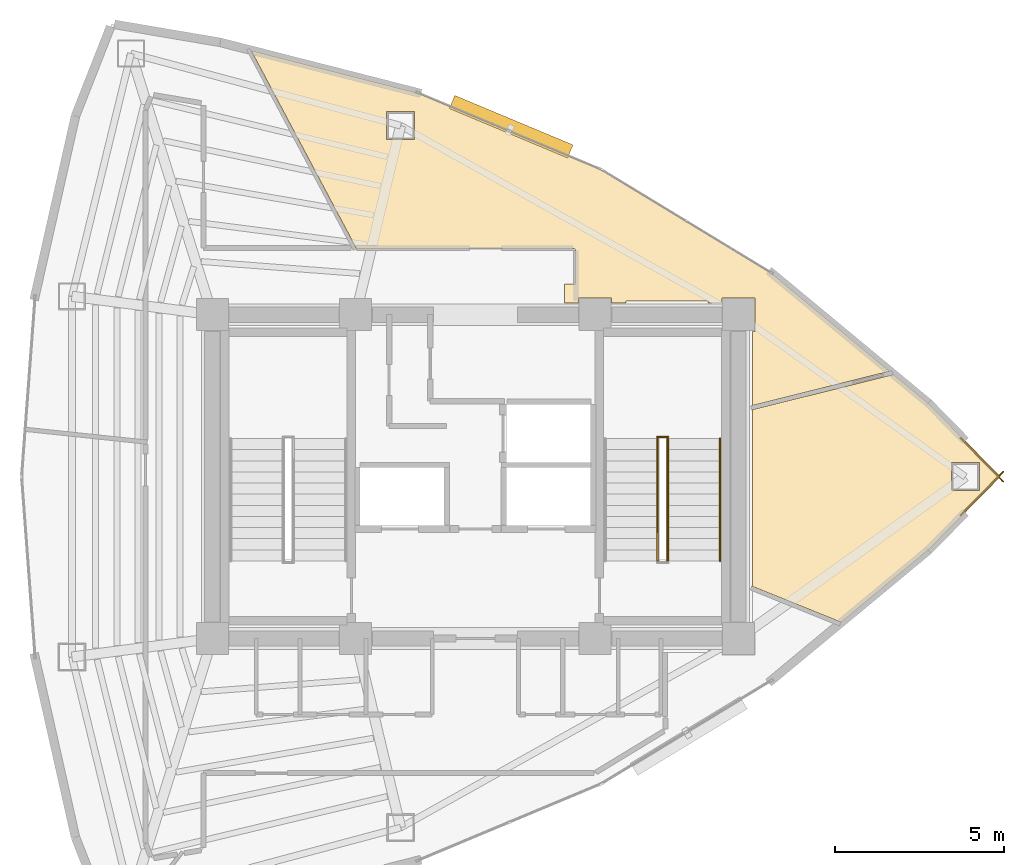
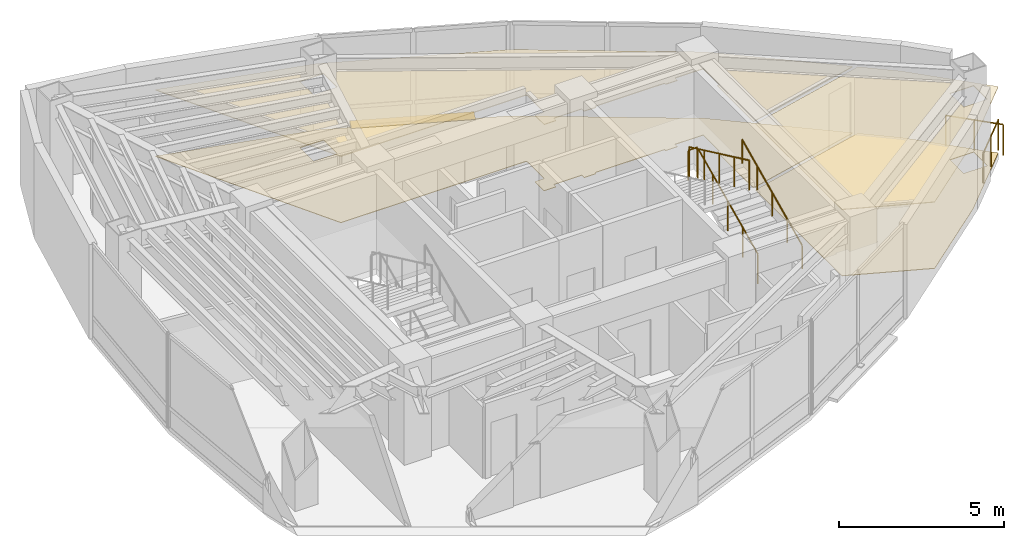
# One storey, part 15 of 15: 6 railings, 4 coverings, 1 shading device.
"""IFC4 building model written with IfcOpenShell, lengths in metres."""

import ifcopenshell
import ifcopenshell.guid

model = None  # the IFC model being written
_history = None  # IfcOwnerHistory: only IFC2X3 demands one
_inside = {}  # id of a spatial element -> (the spatial element, [elements in it])
_under = {}  # id of a project, library or spatial element -> (it, [spatial elements below it])
_declared = {}  # id of a project -> (the project, [libraries it declares])
_typed = {}  # id of a type object -> (the type object, [elements of that type])
_made_of = {}  # id of a material, layer set ... -> (it, [elements and type objects made of it])


def new_model(schema):
    """Start an empty IFC model of exactly this schema.

    Asked for "IFC4X3", IfcOpenShell would pick the latest addendum, in which some entities
    have other attributes; the version numbers below select the first issue.
    IFC2X3 requires an IfcOwnerHistory on every rooted entity: one is made here for all.
    """
    global model, _history
    if schema == "IFC4X3":
        model = ifcopenshell.file(schema_version=(4, 3, 0, 0))
    else:
        model = ifcopenshell.file(schema=schema)
    _inside.clear()
    _under.clear()
    _declared.clear()
    _typed.clear()
    _made_of.clear()
    _history = None
    if model.schema == "IFC2X3":
        org = make("IfcOrganization", Name="unknown")
        user = make(
            "IfcPersonAndOrganization",
            ThePerson=make("IfcPerson", FamilyName="unknown"),
            TheOrganization=org,
        )
        app = make(
            "IfcApplication",
            ApplicationDeveloper=org,
            Version="unknown",
            ApplicationFullName="unknown",
            ApplicationIdentifier="unknown",
        )
        _history = make(
            "IfcOwnerHistory",
            OwningUser=user,
            OwningApplication=app,
            ChangeAction="ADDED",
            CreationDate=0,
        )
    return model


def make(cls, **values):
    """One entity of the class cls with the attributes given. An attribute that is None is left unset."""
    return model.create_entity(
        cls, **{name: value for name, value in values.items() if value is not None}
    )


def rooted(cls, **values):
    """An entity with a GlobalId (a new one), such as an element, a storey or a relation."""
    return make(cls, GlobalId=ifcopenshell.guid.new(), OwnerHistory=_history, **values)


def si_unit(unit_type, name, prefix=None):
    """IfcSIUnit, for example si_unit("LENGTHUNIT", "METRE", prefix="MILLI")."""
    return make("IfcSIUnit", UnitType=unit_type, Prefix=prefix, Name=name)


def assignment(units):
    """IfcUnitAssignment: the units of a project."""
    return None if units is None else make("IfcUnitAssignment", Units=units)


def point(xyz):
    """IfcCartesianPoint."""
    return None if xyz is None else make("IfcCartesianPoint", Coordinates=xyz)


def direction(xyz):
    """IfcDirection."""
    return None if xyz is None else make("IfcDirection", DirectionRatios=xyz)


def frame(location, z_axis=None, x_axis=None):
    """IfcAxis2Placement3D, a coordinate frame: its origin and axes. An axis left out is left unset."""
    return make(
        "IfcAxis2Placement3D",
        Location=point(location),
        Axis=direction(z_axis),
        RefDirection=direction(x_axis),
    )


def frame_2d(location, x_axis=None):
    """IfcAxis2Placement2D, a coordinate frame in the plane: its origin and x axis."""
    return make(
        "IfcAxis2Placement2D", Location=point(location), RefDirection=direction(x_axis)
    )


def origin():
    """The frame at (0, 0, 0) with its axes left unset."""
    return frame((0.0, 0.0, 0.0))


def origin_2d():
    """The frame at (0, 0) in the plane with its x axis left unset."""
    return frame_2d((0.0, 0.0))


def place(relative_to, where):
    """IfcLocalPlacement: puts the frame where relative to a parent placement (None: the world)."""
    return make(
        "IfcLocalPlacement", PlacementRelTo=relative_to, RelativePlacement=where
    )


def context(
    kind, dimensions, precision=None, world=None, true_north=None, identifier=None
):
    """IfcGeometricRepresentationContext, for example the 3D "Model" context."""
    return make(
        "IfcGeometricRepresentationContext",
        ContextIdentifier=identifier,
        ContextType=kind,
        CoordinateSpaceDimension=dimensions,
        Precision=precision,
        WorldCoordinateSystem=world,
        TrueNorth=true_north,
    )


def subcontext(parent, identifier, kind, view, scale=None):
    """IfcGeometricRepresentationSubContext, for example "Body" below "Model"."""
    return make(
        "IfcGeometricRepresentationSubContext",
        ContextIdentifier=identifier,
        ContextType=kind,
        ParentContext=parent,
        TargetScale=scale,
        TargetView=view,
    )


def project(units=None, contexts=None):
    """IfcProject with its units and contexts."""
    return rooted(
        "IfcProject",
        Name="project",
        RepresentationContexts=contexts,
        UnitsInContext=assignment(units),
    )


def spatial(cls, under=None, at=None, **own):
    """A site, building, storey or space (cls), placed at a placement, below another one or the project."""
    s = rooted(cls, ObjectPlacement=at, **own)
    if under is not None:
        _under.setdefault(under.id(), (under, []))[1].append(s)
    return s


def polyline(points):
    """IfcPolyline through the points."""
    return make("IfcPolyline", Points=[point(p) for p in points])


def profile(cls, at=None, kind="AREA", **sizes):
    """A parametric profile (cls). Its sizes go by their IFC names, for example OverallWidth=200.0."""
    return make(cls, ProfileType=kind, Position=at, **sizes)


def rectangle(**sizes):
    """IfcRectangleProfileDef."""
    return profile("IfcRectangleProfileDef", **sizes)


def circle(**sizes):
    """IfcCircleProfileDef."""
    return profile("IfcCircleProfileDef", **sizes)


def outline(outer, holes=None, kind="AREA"):
    """IfcArbitraryClosedProfileDef: a profile drawn as a closed curve; with holes, ...WithVoids."""
    if holes is None:
        return make("IfcArbitraryClosedProfileDef", ProfileType=kind, OuterCurve=outer)
    return make(
        "IfcArbitraryProfileDefWithVoids",
        ProfileType=kind,
        OuterCurve=outer,
        InnerCurves=holes,
    )


def extrude(swept, where, along, depth):
    """IfcExtrudedAreaSolid: the profile swept, set in the frame where, extruded along a direction by depth."""
    return make(
        "IfcExtrudedAreaSolid",
        SweptArea=swept,
        Position=where,
        ExtrudedDirection=direction(along),
        Depth=depth,
    )


def shape(context_of_items, identifier, shape_type, items):
    """IfcShapeRepresentation: the items that make up one representation, for example the "Body"."""
    return make(
        "IfcShapeRepresentation",
        ContextOfItems=context_of_items,
        RepresentationIdentifier=identifier,
        RepresentationType=shape_type,
        Items=items,
    )


def material(Name=None, Category=None):
    """IfcMaterial."""
    return make("IfcMaterial", Name=Name, Category=Category)


def layer(
    of_material, thickness, ventilated=None, Name=None, Category=None, Priority=None
):
    """IfcMaterialLayer: one layer of a wall or slab, of a material (None: an air gap)."""
    return make(
        "IfcMaterialLayer",
        Material=of_material,
        LayerThickness=thickness,
        IsVentilated=ventilated,
        Name=Name,
        Category=Category,
        Priority=Priority,
    )


def layer_set(layers, Name=None):
    """IfcMaterialLayerSet."""
    return make("IfcMaterialLayerSet", MaterialLayers=layers, LayerSetName=Name)


def made_of(thing, what):
    """Note that an element or type object is made of a material, layer set ...; save() writes the relation."""
    if what is not None:
        _made_of.setdefault(what.id(), (what, []))[1].append(thing)
    return thing


def type_object(cls, material=None, **own):
    """A type object (cls), such as IfcWallType, which elements share."""
    return made_of(rooted(cls, **own), material)


def element(
    cls,
    number,
    at=None,
    inside=None,
    cuts=None,
    type_object=None,
    material=None,
    context=None,
    identifier="Body",
    shape_type=None,
    held_by="IfcProductDefinitionShape",
    body=None,
    shapes=None,
    **own,
):
    """One element of the class cls, such as IfcWall. Its Tag is "e" and its number.

    at: its placement. inside: the storey or other place that contains it. cuts: it is an
    opening in that element (IfcRelVoidsElement). A single representation is given by context,
    identifier, shape_type and body (its items); several are given by shapes. held_by: the class
    of the entity that holds the representations. save() writes the other relations.
    """
    e = rooted(cls, Tag="e%d" % number, ObjectPlacement=at, **own)
    if body is not None:
        shapes = [shape(context, identifier, shape_type, body)]
    if shapes is not None:
        e.Representation = make(held_by, Representations=shapes)
    if inside is not None:
        _inside.setdefault(inside.id(), (inside, []))[1].append(e)
    if cuts is not None:
        rooted(
            "IfcRelVoidsElement", RelatingBuildingElement=cuts, RelatedOpeningElement=e
        )
    if type_object is not None:
        _typed.setdefault(type_object.id(), (type_object, []))[1].append(e)
    return made_of(e, material)


def aggregate(whole, parts):
    """IfcRelAggregates: a whole, such as a stair, and the parts it consists of."""
    return rooted("IfcRelAggregates", RelatingObject=whole, RelatedObjects=parts)


def save(model, path):
    """Write the relations noted so far, then the file.

    IfcRelAggregates (storeys below a building ...), IfcRelContainedInSpatialStructure (elements
    in a storey), IfcRelDefinesByType, IfcRelAssociatesMaterial and IfcRelDeclares: one each for
    every whole, place, type object, material and project.
    """
    for whole, parts in _under.values():
        aggregate(whole, parts)
    for where, things in _inside.values():
        rooted(
            "IfcRelContainedInSpatialStructure",
            RelatedElements=things,
            RelatingStructure=where,
        )
    for kind, things in _typed.values():
        rooted("IfcRelDefinesByType", RelatedObjects=things, RelatingType=kind)
    for what, things in _made_of.values():
        rooted("IfcRelAssociatesMaterial", RelatedObjects=things, RelatingMaterial=what)
    for by, libraries in _declared.values():
        rooted("IfcRelDeclares", RelatingContext=by, RelatedDefinitions=libraries)
    model.write(path)


model = new_model("IFC4")

# Units and contexts
model_context = context("Model", 3, precision=1e-05, world=origin(), true_north=direction((0.0, 1.0)))
body_context = subcontext(model_context, "Body", "Model", "MODEL_VIEW")
ifc_project = project(units=[si_unit("LENGTHUNIT", "METRE"), si_unit("AREAUNIT", "SQUARE_METRE"), si_unit("VOLUMEUNIT", "CUBIC_METRE"), si_unit("PLANEANGLEUNIT", "RADIAN"), si_unit("MASSUNIT", "GRAM", prefix="KILO")], contexts=[model_context])

# Site, building, storey
site_placement = place(None, origin())
site = spatial("IfcSite", under=ifc_project, at=site_placement, CompositionType="ELEMENT")
building_placement = place(site_placement, origin())
building = spatial("IfcBuilding", under=site, at=building_placement, Name="Menara Vayukalpa", CompositionType="ELEMENT")
storey_placement = place(building_placement, frame((0.0, 0.0, 254.580078125)))
storey = spatial("IfcBuildingStorey", under=building, at=storey_placement, Name="L64", CompositionType="ELEMENT", Elevation=254.580078125)

# Coverings
ifc_material_1 = material(Name="Mineral Fibre Acoustic Ceiling Tile", Category="masonry")
ifc_layer_1 = layer(ifc_material_1, 0.02490234375)
ifc_layer_set_1 = layer_set([ifc_layer_1], Name="Mineral Fibre Acoustic Ceiling Tile")
covering_type_1 = type_object("IfcCoveringType", Name="COV-CLG1", PredefinedType="CEILING", material=ifc_layer_set_1)
covering_1_placement = place(storey_placement, frame((0.0, 0.0, 2.449951171875)))
element("IfcCovering", 1, at=covering_1_placement, inside=storey, type_object=covering_type_1, Name="L64 Visitor Reception Lounge Acoustic Ceiling", PredefinedType="CEILING", context=body_context, shape_type="SweptSolid", body=[
    extrude(outline(polyline([(41.15087890625, 22.007080078125), (41.151611328125, 22.00634765625), (41.15234375, 22.005615234375), (41.152587890625, 22.004638671875), (41.1533203125, 22.00390625), (41.153564453125, 22.0029296875), (41.15380859375, 22.001953125), (41.15380859375, 22.0009765625), (41.15380859375, 22.0), (41.15380859375, 21.9990234375), (41.15380859375, 21.998046875), (41.153564453125, 21.9970703125), (41.1533203125, 21.99609375), (41.152587890625, 21.995361328125), (41.15234375, 21.994384765625), (41.151611328125, 21.99365234375), (41.15087890625, 21.992919921875), (39.021240234375, 19.82373046875), (39.0205078125, 19.822998046875), (36.446044921875, 17.68798828125), (36.4453125, 17.6875), (36.4443359375, 17.68701171875), (36.443603515625, 17.6865234375), (36.4423828125, 17.686279296875), (36.44140625, 17.68603515625), (36.4404296875, 17.685791015625), (36.439453125, 17.685791015625), (36.4384765625, 17.685791015625), (36.4375, 17.68603515625), (36.4365234375, 17.686279296875), (36.435546875, 17.686767578125), (36.4326171875, 17.68798828125), (33.81640625, 18.7451171875), (33.8154296875, 18.74560546875), (33.814453125, 18.74609375), (33.813720703125, 18.74658203125), (33.81298828125, 18.747314453125), (33.812255859375, 18.748046875), (33.811767578125, 18.748779296875), (33.811279296875, 18.749755859375), (33.810791015625, 18.75048828125), (33.810302734375, 18.75146484375), (33.810302734375, 18.75244140625), (33.81005859375, 18.75341796875), (33.81005859375, 18.75439453125), (33.81005859375, 23.977294921875), (33.81005859375, 23.978271484375), (33.810302734375, 23.979248046875), (33.810302734375, 23.97998046875), (33.810791015625, 23.98095703125), (33.81103515625, 23.98193359375), (33.8115234375, 23.982666015625), (33.81201171875, 23.9833984375), (33.812744140625, 23.984130859375), (33.8134765625, 23.98486328125), (33.814208984375, 23.9853515625), (33.81494140625, 23.98583984375), (33.81591796875, 23.986328125), (33.816650390625, 23.98681640625), (33.817626953125, 23.987060546875), (37.974853515625, 25.0234375), (37.980712890625, 25.025390625), (37.986328125, 25.027587890625), (37.9873046875, 25.028076171875), (37.98828125, 25.0283203125), (37.9892578125, 25.0283203125), (37.990234375, 25.0283203125), (37.9912109375, 25.0283203125), (37.9921875, 25.0283203125), (37.9931640625, 25.028076171875), (37.994140625, 25.027587890625), (37.994873046875, 25.027099609375), (37.995849609375, 25.026611328125), (37.99658203125, 25.026123046875), (39.0205078125, 24.177001953125), (39.021240234375, 24.17626953125), (41.15087890625, 22.007080078125)]), holes=[polyline([(40.536865234375, 22.4150390625), (39.706787109375, 22.4150390625), (39.706787109375, 21.5849609375), (40.536865234375, 21.5849609375), (40.536865234375, 22.4150390625)])]), origin(), (0.0, 0.0, 1.0), 0.02490234375),
])
covering_2_placement = place(storey_placement, frame((0.0, 0.0, 2.449951171875)))
element("IfcCovering", 2, at=covering_2_placement, inside=storey, type_object=covering_type_1, Name="L64 Visitor Reception Lounge Acoustic Ceiling", PredefinedType="CEILING", context=body_context, shape_type="SweptSolid", body=[
    extrude(outline(polyline([(29.639892578125, 27.14990234375), (29.639892578125, 27.2900390625), (28.659912109375, 27.2900390625), (28.659912109375, 27.14990234375), (28.239990234375, 27.14990234375), (28.239990234375, 27.7099609375), (28.570068359375, 27.7099609375), (28.570068359375, 28.69970703125), (28.569580078125, 28.706787109375), (28.568603515625, 28.713623046875), (28.56689453125, 28.72021484375), (28.564697265625, 28.726806640625), (28.561767578125, 28.73291015625), (28.55810546875, 28.73876953125), (28.553955078125, 28.744384765625), (28.549560546875, 28.74951171875), (28.54443359375, 28.75390625), (28.538818359375, 28.75830078125), (28.532958984375, 28.76171875), (28.52685546875, 28.7646484375), (28.520263671875, 28.76708984375), (28.513671875, 28.768798828125), (28.5068359375, 28.76953125), (28.499755859375, 28.77001953125), (22.07421875, 28.77001953125), (22.0732421875, 28.77001953125), (22.072265625, 28.770263671875), (22.0712890625, 28.7705078125), (22.070556640625, 28.770751953125), (22.069580078125, 28.771240234375), (22.068603515625, 28.771728515625), (22.06787109375, 28.772216796875), (22.067138671875, 28.77294921875), (22.066650390625, 28.773681640625), (22.06591796875, 28.7744140625), (22.0654296875, 28.775390625), (18.962158203125, 34.61181640625), (18.961669921875, 34.61279296875), (18.961181640625, 34.61376953125), (18.961181640625, 34.614501953125), (18.9609375, 34.615478515625), (18.9609375, 34.616455078125), (18.9609375, 34.617431640625), (18.961181640625, 34.618408203125), (18.961181640625, 34.619384765625), (18.961669921875, 34.620361328125), (18.9619140625, 34.62109375), (18.96240234375, 34.6220703125), (18.962890625, 34.622802734375), (18.963623046875, 34.62353515625), (18.96435546875, 34.624267578125), (18.965087890625, 34.624755859375), (18.9658203125, 34.625244140625), (18.966796875, 34.625732421875), (18.9677734375, 34.626220703125), (18.968505859375, 34.626220703125), (18.969482421875, 34.62646484375), (18.970458984375, 34.626708984375), (18.971435546875, 34.626708984375), (18.972412109375, 34.62646484375), (18.973388671875, 34.626220703125), (23.877197265625, 33.375732421875), (23.878662109375, 33.375244140625), (29.32568359375, 31.0966796875), (29.326416015625, 31.09619140625), (29.3271484375, 31.095947265625), (34.37353515625, 28.030517578125), (34.374755859375, 28.02978515625), (37.864013671875, 25.135986328125), (37.86474609375, 25.13525390625), (37.865478515625, 25.134521484375), (37.865966796875, 25.1337890625), (37.866455078125, 25.1328125), (37.866943359375, 25.132080078125), (37.8671875, 25.131103515625), (37.867431640625, 25.130126953125), (37.86767578125, 25.129150390625), (37.86767578125, 25.128173828125), (37.867431640625, 25.127197265625), (37.867431640625, 25.126220703125), (37.8671875, 25.125), (37.86669921875, 25.124267578125), (37.8662109375, 25.123291015625), (37.86572265625, 25.122314453125), (37.864990234375, 25.12158203125), (37.864501953125, 25.12109375), (37.863525390625, 25.120361328125), (37.86279296875, 25.11962890625), (37.86181640625, 25.119384765625), (37.861083984375, 25.118896484375), (37.860107421875, 25.11865234375), (33.822509765625, 24.11181640625), (33.8212890625, 24.11181640625), (33.8203125, 24.111572265625), (33.8193359375, 24.111572265625), (33.818359375, 24.11181640625), (33.8173828125, 24.11181640625), (33.81640625, 24.1123046875), (33.8154296875, 24.112548828125), (33.814697265625, 24.113037109375), (33.813720703125, 24.11376953125), (33.81298828125, 24.114501953125), (33.8125, 24.114990234375), (33.811767578125, 24.115966796875), (33.811279296875, 24.11669921875), (33.810791015625, 24.11767578125), (33.810546875, 24.11865234375), (33.810302734375, 24.11962890625), (33.81005859375, 24.12060546875), (33.81005859375, 24.12158203125), (33.81005859375, 26.31005859375), (33.889892578125, 26.31005859375), (33.889892578125, 27.2900390625), (32.909912109375, 27.2900390625), (32.909912109375, 27.14990234375), (32.489990234375, 27.14990234375), (32.489990234375, 27.2099609375), (30.06005859375, 27.2099609375), (30.06005859375, 27.14990234375), (29.639892578125, 27.14990234375)]), holes=[polyline([(23.796875, 32.81982421875), (22.966796875, 32.81982421875), (22.966796875, 31.98974609375), (23.796875, 31.98974609375), (23.796875, 32.81982421875)])]), origin(), (0.0, 0.0, 1.0), 0.02490234375),
])
ifc_material_2 = material(Name="Porcelain Stoneware Floor Tile", Category="masonry")
ifc_layer_2 = layer(ifc_material_2, 0.02001953125)
ifc_layer_set_2 = layer_set([ifc_layer_2], Name="Porcelain Stoneware Floor Tile")
covering_type_2 = type_object("IfcCoveringType", Name="COV-FLR1", PredefinedType="FLOORING", material=ifc_layer_set_2)
covering_3_placement = place(storey_placement, origin())
element("IfcCovering", 3, at=covering_3_placement, inside=storey, type_object=covering_type_2, Name="L64 Visitor Reception Lounge Porcelain Flooring", PredefinedType="FLOORING", context=body_context, shape_type="SweptSolid", body=[
    extrude(outline(polyline([(41.15087890625, 22.007080078125), (41.151611328125, 22.00634765625), (41.15234375, 22.005615234375), (41.152587890625, 22.004638671875), (41.1533203125, 22.00390625), (41.153564453125, 22.0029296875), (41.15380859375, 22.001953125), (41.15380859375, 22.0009765625), (41.15380859375, 22.0), (41.15380859375, 21.9990234375), (41.15380859375, 21.998046875), (41.153564453125, 21.9970703125), (41.1533203125, 21.99609375), (41.152587890625, 21.995361328125), (41.15234375, 21.994384765625), (41.151611328125, 21.99365234375), (41.15087890625, 21.992919921875), (39.021240234375, 19.82373046875), (39.0205078125, 19.822998046875), (36.446044921875, 17.68798828125), (36.4453125, 17.6875), (36.4443359375, 17.68701171875), (36.443603515625, 17.6865234375), (36.4423828125, 17.686279296875), (36.44140625, 17.68603515625), (36.4404296875, 17.685791015625), (36.439453125, 17.685791015625), (36.4384765625, 17.685791015625), (36.4375, 17.68603515625), (36.4365234375, 17.686279296875), (36.435546875, 17.686767578125), (36.4326171875, 17.68798828125), (33.81640625, 18.7451171875), (33.8154296875, 18.74560546875), (33.814453125, 18.74609375), (33.813720703125, 18.74658203125), (33.81298828125, 18.747314453125), (33.812255859375, 18.748046875), (33.811767578125, 18.748779296875), (33.811279296875, 18.749755859375), (33.810791015625, 18.75048828125), (33.810302734375, 18.75146484375), (33.810302734375, 18.75244140625), (33.81005859375, 18.75341796875), (33.81005859375, 18.75439453125), (33.81005859375, 23.977294921875), (33.81005859375, 23.978271484375), (33.810302734375, 23.979248046875), (33.810302734375, 23.97998046875), (33.810791015625, 23.98095703125), (33.81103515625, 23.98193359375), (33.8115234375, 23.982666015625), (33.81201171875, 23.9833984375), (33.812744140625, 23.984130859375), (33.8134765625, 23.98486328125), (33.814208984375, 23.9853515625), (33.81494140625, 23.98583984375), (33.81591796875, 23.986328125), (33.816650390625, 23.98681640625), (33.817626953125, 23.987060546875), (37.974853515625, 25.0234375), (37.980712890625, 25.025390625), (37.986328125, 25.027587890625), (37.9873046875, 25.028076171875), (37.98828125, 25.0283203125), (37.9892578125, 25.0283203125), (37.990234375, 25.0283203125), (37.9912109375, 25.0283203125), (37.9921875, 25.0283203125), (37.9931640625, 25.028076171875), (37.994140625, 25.027587890625), (37.994873046875, 25.027099609375), (37.995849609375, 25.026611328125), (37.99658203125, 25.026123046875), (39.0205078125, 24.177001953125), (39.021240234375, 24.17626953125), (41.15087890625, 22.007080078125)]), holes=[polyline([(40.536865234375, 22.4150390625), (39.706787109375, 22.4150390625), (39.706787109375, 21.5849609375), (40.536865234375, 21.5849609375), (40.536865234375, 22.4150390625)])]), origin(), (0.0, 0.0, 1.0), 0.02001953125),
])
covering_4_placement = place(storey_placement, origin())
element("IfcCovering", 4, at=covering_4_placement, inside=storey, type_object=covering_type_2, Name="L64 Visitor Reception Lounge Porcelain Flooring", PredefinedType="FLOORING", context=body_context, shape_type="SweptSolid", body=[
    extrude(outline(polyline([(29.639892578125, 27.14990234375), (29.639892578125, 27.2900390625), (28.659912109375, 27.2900390625), (28.659912109375, 27.14990234375), (28.239990234375, 27.14990234375), (28.239990234375, 27.7099609375), (28.570068359375, 27.7099609375), (28.570068359375, 28.69970703125), (28.569580078125, 28.706787109375), (28.568603515625, 28.713623046875), (28.56689453125, 28.72021484375), (28.564697265625, 28.726806640625), (28.561767578125, 28.73291015625), (28.55810546875, 28.73876953125), (28.553955078125, 28.744384765625), (28.549560546875, 28.74951171875), (28.54443359375, 28.75390625), (28.538818359375, 28.75830078125), (28.532958984375, 28.76171875), (28.52685546875, 28.7646484375), (28.520263671875, 28.76708984375), (28.513671875, 28.768798828125), (28.5068359375, 28.76953125), (28.499755859375, 28.77001953125), (22.07421875, 28.77001953125), (22.0732421875, 28.77001953125), (22.072265625, 28.770263671875), (22.0712890625, 28.7705078125), (22.070556640625, 28.770751953125), (22.069580078125, 28.771240234375), (22.068603515625, 28.771728515625), (22.06787109375, 28.772216796875), (22.067138671875, 28.77294921875), (22.066650390625, 28.773681640625), (22.06591796875, 28.7744140625), (22.0654296875, 28.775390625), (18.962158203125, 34.61181640625), (18.961669921875, 34.61279296875), (18.961181640625, 34.61376953125), (18.961181640625, 34.614501953125), (18.9609375, 34.615478515625), (18.9609375, 34.616455078125), (18.9609375, 34.617431640625), (18.961181640625, 34.618408203125), (18.961181640625, 34.619384765625), (18.961669921875, 34.620361328125), (18.9619140625, 34.62109375), (18.96240234375, 34.6220703125), (18.962890625, 34.622802734375), (18.963623046875, 34.62353515625), (18.96435546875, 34.624267578125), (18.965087890625, 34.624755859375), (18.9658203125, 34.625244140625), (18.966796875, 34.625732421875), (18.9677734375, 34.626220703125), (18.968505859375, 34.626220703125), (18.969482421875, 34.62646484375), (18.970458984375, 34.626708984375), (18.971435546875, 34.626708984375), (18.972412109375, 34.62646484375), (18.973388671875, 34.626220703125), (23.877197265625, 33.375732421875), (23.878662109375, 33.375244140625), (29.32568359375, 31.0966796875), (29.326416015625, 31.09619140625), (29.3271484375, 31.095947265625), (34.37353515625, 28.030517578125), (34.374755859375, 28.02978515625), (37.864013671875, 25.135986328125), (37.86474609375, 25.13525390625), (37.865478515625, 25.134521484375), (37.865966796875, 25.1337890625), (37.866455078125, 25.1328125), (37.866943359375, 25.132080078125), (37.8671875, 25.131103515625), (37.867431640625, 25.130126953125), (37.86767578125, 25.129150390625), (37.86767578125, 25.128173828125), (37.867431640625, 25.127197265625), (37.867431640625, 25.126220703125), (37.8671875, 25.125), (37.86669921875, 25.124267578125), (37.8662109375, 25.123291015625), (37.86572265625, 25.122314453125), (37.864990234375, 25.12158203125), (37.864501953125, 25.12109375), (37.863525390625, 25.120361328125), (37.86279296875, 25.11962890625), (37.86181640625, 25.119384765625), (37.861083984375, 25.118896484375), (37.860107421875, 25.11865234375), (33.822509765625, 24.11181640625), (33.8212890625, 24.11181640625), (33.8203125, 24.111572265625), (33.8193359375, 24.111572265625), (33.818359375, 24.11181640625), (33.8173828125, 24.11181640625), (33.81640625, 24.1123046875), (33.8154296875, 24.112548828125), (33.814697265625, 24.113037109375), (33.813720703125, 24.11376953125), (33.81298828125, 24.114501953125), (33.8125, 24.114990234375), (33.811767578125, 24.115966796875), (33.811279296875, 24.11669921875), (33.810791015625, 24.11767578125), (33.810546875, 24.11865234375), (33.810302734375, 24.11962890625), (33.81005859375, 24.12060546875), (33.81005859375, 24.12158203125), (33.81005859375, 26.31005859375), (33.889892578125, 26.31005859375), (33.889892578125, 27.2900390625), (32.909912109375, 27.2900390625), (32.909912109375, 27.14990234375), (32.489990234375, 27.14990234375), (32.489990234375, 27.2099609375), (30.06005859375, 27.2099609375), (30.06005859375, 27.14990234375), (29.639892578125, 27.14990234375)]), holes=[polyline([(23.796875, 32.81982421875), (22.966796875, 32.81982421875), (22.966796875, 31.98974609375), (23.796875, 31.98974609375), (23.796875, 32.81982421875)])]), origin(), (0.0, 0.0, 1.0), 0.02001953125),
])

# Railings
ifc_material_3 = material(Name="Laminated Glass and Stainless Steel 316 Guardrail", Category="steel")
railing_type_1 = type_object("IfcRailingType", Name="RLG-EXT115", PredefinedType="GUARDRAIL", material=ifc_material_3)
railing_1_placement = place(storey_placement, frame((39.976318359375, 20.853515625, 0.0)))
element("IfcRailing", 5, at=railing_1_placement, inside=storey, type_object=railing_type_1, Name="L64 Column Corner Spandrel Guardrail 01-1", PredefinedType="GUARDRAIL", context=body_context, shape_type="SweptSolid", body=[
    extrude(circle(Radius=0.02392578125, at=origin_2d()), frame((0.0, 0.0, 1.1259765625), z_axis=(0.700555224103, 0.713598190848, 0.0), x_axis=(-0.713598190848, 0.700555224103, 0.0)), (0.0, 0.0, 1.0), 1.815673828125),
    extrude(circle(Radius=0.02099609375, at=origin_2d()), origin(), (0.0, 0.0, 1.0), 1.101806640625),
    extrude(circle(Radius=0.02099609375, at=origin_2d()), frame((0.635986328125, 0.64794921875, 0.0)), (0.0, 0.0, 1.0), 1.101806640625),
    extrude(circle(Radius=0.02099609375, at=origin_2d()), frame((1.27197265625, 1.295654296875, 0.0)), (0.0, 0.0, 1.0), 1.101806640625),
])
railing_2_placement = place(storey_placement, frame((41.248291015625, 21.850830078125, 0.0)))
element("IfcRailing", 6, at=railing_2_placement, inside=storey, type_object=railing_type_1, Name="L64 Column Corner Spandrel Guardrail 02-1", PredefinedType="GUARDRAIL", context=body_context, shape_type="SweptSolid", body=[
    extrude(circle(Radius=0.02392578125, at=origin_2d()), frame((0.0, 0.0, 1.1259765625), z_axis=(-0.700555224103, 0.713598190848, 0.0), x_axis=(-0.713598190848, -0.700555224103, 0.0)), (0.0, 0.0, 1.0), 1.815673828125),
    extrude(circle(Radius=0.02099609375, at=origin_2d()), origin(), (0.0, 0.0, 1.0), 1.101806640625),
    extrude(circle(Radius=0.02099609375, at=origin_2d()), frame((-0.635986328125, 0.64794921875, 0.0)), (0.0, 0.0, 1.0), 1.101806640625),
    extrude(circle(Radius=0.02099609375, at=origin_2d()), frame((-1.27197265625, 1.295654296875, 0.0)), (0.0, 0.0, 1.0), 1.101806640625),
])
ifc_material_4 = material(Name="Powder-Coated Galvanised Steel Guardrail", Category="steel")
railing_type_2 = type_object("IfcRailingType", Name="RLG-STG110", PredefinedType="GUARDRAIL", material=ifc_material_4)
railing_3_placement = place(storey_placement, frame((31.300048828125, 19.5, 0.155029296875)))
element("IfcRailing", 7, at=railing_3_placement, inside=storey, type_object=railing_type_2, Name="L64 ST-2 stair guard 1", PredefinedType="GUARDRAIL", context=body_context, shape_type="SweptSolid", body=[
    extrude(circle(Radius=0.02392578125, at=origin_2d()), frame((0.0, 0.0, 1.09619140625), z_axis=(0.0, 0.90513990983, 0.425113800803), x_axis=(-1.0, 0.0, 0.0)), (0.0, 0.0, 1.0), 4.01025390625),
    extrude(circle(Radius=0.02099609375, at=origin_2d()), origin(), (0.0, 0.0, 1.0), 1.072021484375),
    extrude(circle(Radius=0.02099609375, at=origin_2d()), frame((0.0, 0.907470703125, 0.42626953125)), (0.0, 0.0, 1.0), 1.072021484375),
    extrude(circle(Radius=0.02099609375, at=origin_2d()), frame((0.0, 1.81494140625, 0.8525390625)), (0.0, 0.0, 1.0), 1.072021484375),
    extrude(circle(Radius=0.02099609375, at=origin_2d()), frame((0.0, 2.722412109375, 1.278564453125)), (0.0, 0.0, 1.0), 1.072021484375),
    extrude(circle(Radius=0.02099609375, at=origin_2d()), frame((0.0, 3.6298828125, 1.704833984375)), (0.0, 0.0, 1.0), 1.072021484375),
])
railing_4_placement = place(storey_placement, frame((31.31005859375, 23.179931640625, 1.85986328125)))
element("IfcRailing", 8, at=railing_4_placement, inside=storey, type_object=railing_type_2, Name="L64 ST-2 stair guard 2", PredefinedType="GUARDRAIL", context=body_context, shape_type="SweptSolid", body=[
    extrude(circle(Radius=0.02392578125, at=origin_2d()), frame((0.0, 0.0, 1.09619140625), z_axis=(-1.0, 0.0, 0.0), x_axis=(0.0, -1.0, 0.0)), (0.0, 0.0, 1.0), 0.320068359375),
    extrude(circle(Radius=0.02099609375, at=origin_2d()), origin(), (0.0, 0.0, 1.0), 1.072021484375),
    extrude(circle(Radius=0.02099609375, at=origin_2d()), frame((-0.320068359375, 0.0, 0.0)), (0.0, 0.0, 1.0), 1.072021484375),
])
railing_5_placement = place(storey_placement, frame((31.0, 23.1298828125, 2.014892578125)))
element("IfcRailing", 9, at=railing_5_placement, inside=storey, type_object=railing_type_2, Name="L64 ST-2 stair guard 3", PredefinedType="GUARDRAIL", context=body_context, shape_type="SweptSolid", body=[
    extrude(circle(Radius=0.02392578125, at=origin_2d()), frame((0.0, 0.0, 1.09619140625), z_axis=(0.0, -0.90511648382, 0.425163675209), x_axis=(1.0, 0.0, 0.0)), (0.0, 0.0, 1.0), 4.010498046875),
    extrude(circle(Radius=0.02099609375, at=origin_2d()), origin(), (0.0, 0.0, 1.0), 1.072021484375),
    extrude(circle(Radius=0.02099609375, at=origin_2d()), frame((0.0, -0.907470703125, 0.42626953125)), (0.0, 0.0, 1.0), 1.072021484375),
    extrude(circle(Radius=0.02099609375, at=origin_2d()), frame((0.0, -1.81494140625, 0.8525390625)), (0.0, 0.0, 1.0), 1.072021484375),
    extrude(circle(Radius=0.02099609375, at=origin_2d()), frame((0.0, -2.722412109375, 1.27880859375)), (0.0, 0.0, 1.0), 1.072021484375),
    extrude(circle(Radius=0.02099609375, at=origin_2d()), frame((0.0, -3.6298828125, 1.705078125)), (0.0, 0.0, 1.0), 1.072021484375),
])
ifc_material_5 = material(Name="Stainless Steel 316 Tubular Handrail", Category="steel")
railing_type_3 = type_object("IfcRailingType", Name="RLG-STH090", PredefinedType="HANDRAIL", material=ifc_material_5)
railing_6_placement = place(storey_placement, frame((32.85009765625, 19.5, 0.155029296875)))
element("IfcRailing", 10, at=railing_6_placement, inside=storey, type_object=railing_type_3, Name="L64 ST-2 stair handrail 1", PredefinedType="HANDRAIL", context=body_context, shape_type="SweptSolid", body=[
    extrude(circle(Radius=0.02392578125, at=origin_2d()), frame((0.0, 0.0, 0.8759765625), z_axis=(0.0, 0.90513990983, 0.425113800803), x_axis=(-1.0, 0.0, 0.0)), (0.0, 0.0, 1.0), 4.01025390625),
    extrude(circle(Radius=0.02099609375, at=origin_2d()), origin(), (0.0, 0.0, 1.0), 0.851806640625),
    extrude(circle(Radius=0.02099609375, at=origin_2d()), frame((0.0, 0.907470703125, 0.42626953125)), (0.0, 0.0, 1.0), 0.851806640625),
    extrude(circle(Radius=0.02099609375, at=origin_2d()), frame((0.0, 1.81494140625, 0.8525390625)), (0.0, 0.0, 1.0), 0.851806640625),
    extrude(circle(Radius=0.02099609375, at=origin_2d()), frame((0.0, 2.722412109375, 1.278564453125)), (0.0, 0.0, 1.0), 0.851806640625),
    extrude(circle(Radius=0.02099609375, at=origin_2d()), frame((0.0, 3.6298828125, 1.704833984375)), (0.0, 0.0, 1.0), 0.851806640625),
])

# Shading device
ifc_material_6 = material(Name="Glazed Terracotta Ceramic Baguette Extrusion", Category="masonry")
ifc_layer_3 = layer(ifc_material_6, 0.1201171875)
ifc_layer_set_3 = layer_set([ifc_layer_3], Name="Glazed Terracotta Ceramic Baguette Extrusion")
shading_device_type = type_object("IfcShadingDeviceType", Name="SHD-SS1", PredefinedType="USERDEFINED", material=ifc_layer_set_3)
shading_device_placement = place(storey_placement, frame((26.66015625, 32.374267578125, -0.10009765625), z_axis=(0.0, 0.0, 1.0), x_axis=(-0.922538089456, 0.385906042324, 0.0)))
element("IfcShadingDevice", 11, at=shading_device_placement, inside=storey, type_object=shading_device_type, Name="L64 Horizontal Terracotta Sunshade Band 05", ObjectType="SUNSHADE", PredefinedType="USERDEFINED", context=body_context, shape_type="SweptSolid", body=[
    extrude(rectangle(XDim=3.800048828125, YDim=0.419921875, at=origin_2d()), origin(), (0.0, 0.0, 1.0), 0.1201171875),
])

save(model, "model.ifc")
